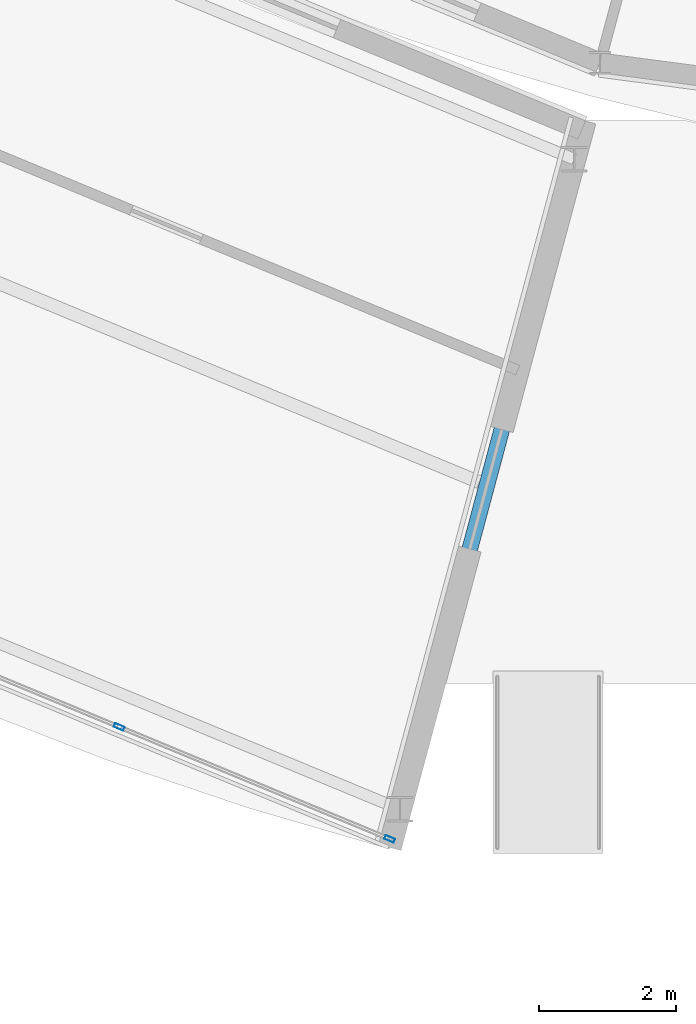
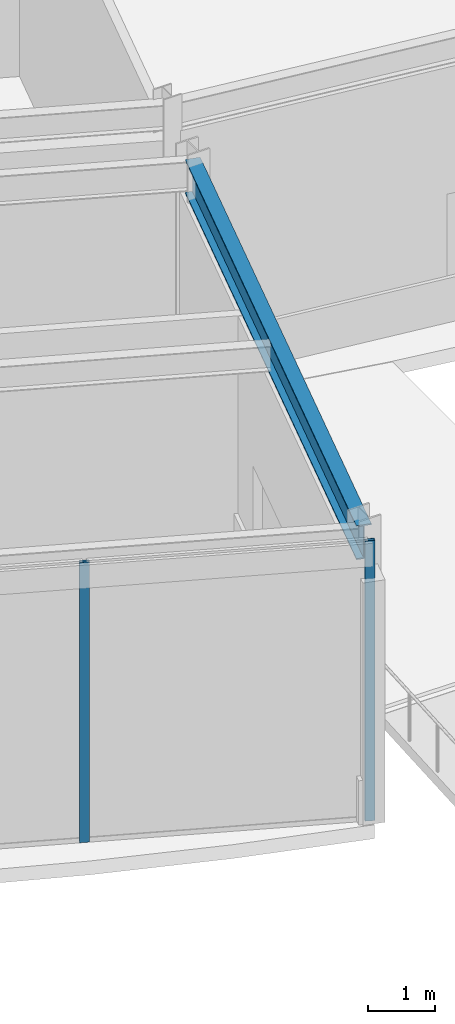
# One storey, part 41 of 168: 2 members, 1 beam, 1 element without a shape of its own.
"""IFC4 building model written with IfcOpenShell, lengths in metres."""

from ifc_helpers import new_model, si_unit, direction, frame, origin, origin_2d, place, context, subcontext, project, spatial, hollow_rectangle, i_section, extrude, material, material_profile, profile_set, type_object, element, aggregate, save


model = new_model("IFC4")

# Units and contexts
model_context = context("Model", 3, precision=1e-05, world=origin(), true_north=direction((0.0, 1.0)))
body_context = subcontext(model_context, "Body", "Model", "MODEL_VIEW")
ifc_project = project(units=[si_unit("LENGTHUNIT", "METRE"), si_unit("AREAUNIT", "SQUARE_METRE"), si_unit("VOLUMEUNIT", "CUBIC_METRE"), si_unit("PLANEANGLEUNIT", "RADIAN"), si_unit("MASSUNIT", "GRAM", prefix="KILO")], contexts=[model_context])

# Site, building, storey
site_placement = place(None, origin())
site = spatial("IfcSite", under=ifc_project, at=site_placement, CompositionType="ELEMENT")
building_placement = place(site_placement, origin())
building = spatial("IfcBuilding", under=site, at=building_placement, Name="Almandine Court Research Institute", CompositionType="ELEMENT")
storey_placement = place(building_placement, origin())
storey = spatial("IfcBuildingStorey", under=building, at=storey_placement, Name="L00", CompositionType="ELEMENT", Elevation=0.0)

# Beam
ifc_material_1 = material(Name="Steel ASTM A992 Grade 50", Category="steel")
ifc_material_profile_1 = material_profile(ifc_material_1, i_section(OverallWidth=0.22998046875, OverallDepth=0.616943359375, WebThickness=0.012939453125, FlangeThickness=0.02197265625, at=origin_2d()), Name="W610x140")
ifc_profile_set_1 = profile_set([ifc_material_profile_1], Name="Steel ASTM A992 Grade 50")
beam_type = type_object("IfcBeamType", Name="Beam-G-02", PredefinedType="BEAM", material=ifc_profile_set_1)
beam_placement = place(storey_placement, frame((76.8798828125, 18.23193359375, 4.715087890625), z_axis=(-0.258774274024, -0.965937821551, 0.0), x_axis=(0.965937821551, -0.258774274024, 0.0)))
element("IfcBeam", 1, at=beam_placement, inside=storey, type_object=beam_type, Name="L00 Drum Radial Girder 17", PredefinedType="BEAM", context=body_context, shape_type="SweptSolid", body=[
    extrude(i_section(OverallWidth=0.22998046875, OverallDepth=0.616943359375, WebThickness=0.012939453125, FlangeThickness=0.02197265625, at=origin_2d()), origin(), (0.0, 0.0, 1.0), 9.799560546875),
])

# Curtain wall, members
ifc_material_2 = material(Name="Unitised Curtain Wall Framing and Solar Glazing", Category="glass")
curtain_wall_type = type_object("IfcCurtainWallType", Name="CW-CWG-18", PredefinedType="USERDEFINED", material=ifc_material_2)
curtain_wall_placement = place(storey_placement, origin())
curtain_wall = element("IfcCurtainWall", 2, at=curtain_wall_placement, inside=storey, type_object=curtain_wall_type, Name="L00 Stacked-Ring Drum Outer Unitised Glazing 16", ObjectType="UNITISED GLAZING", PredefinedType="USERDEFINED")
ifc_material_3 = material(Name="Anodised Aluminium AW-6063-T6", Category="aluminium")
ifc_material_profile_2 = material_profile(ifc_material_3, hollow_rectangle(XDim=0.06005859375, YDim=0.14990234375, WallThickness=0.00390625, at=origin_2d()), Name="ALU RHS 60x150x4")
ifc_profile_set_2 = profile_set([ifc_material_profile_2], Name="Anodised Aluminium AW-6063-T6")
member_type = type_object("IfcMemberType", Name="CWMul-60x150", PredefinedType="MULLION", material=ifc_profile_set_2)
member_1_placement = place(storey_placement, frame((74.193359375, 8.33447265625, 0.0), z_axis=(0.0, 0.0, 1.0), x_axis=(-0.382662689242, -0.923888124321, 0.0)))
member_1 = element("IfcMember", 3, at=member_1_placement, type_object=member_type, Name="CWG-18 mullion 1", PredefinedType="MULLION", context=body_context, shape_type="SweptSolid", body=[
    extrude(hollow_rectangle(XDim=0.06005859375, YDim=0.14990234375, WallThickness=0.00390625, at=origin_2d()), origin(), (0.0, 0.0, 1.0), 5.070068359375),
])
member_2_placement = place(storey_placement, frame((70.2548828125, 9.965576171875, 0.0), z_axis=(0.0, 0.0, 1.0), x_axis=(-0.382662689242, -0.923888124321, 0.0)))
member_2 = element("IfcMember", 4, at=member_2_placement, type_object=member_type, Name="CWG-18 mullion 2", PredefinedType="MULLION", context=body_context, shape_type="SweptSolid", body=[
    extrude(hollow_rectangle(XDim=0.06005859375, YDim=0.14990234375, WallThickness=0.00390625, at=origin_2d()), origin(), (0.0, 0.0, 1.0), 5.070068359375),
])
aggregate(curtain_wall, [member_1, member_2])

save(model, "model.ifc")
